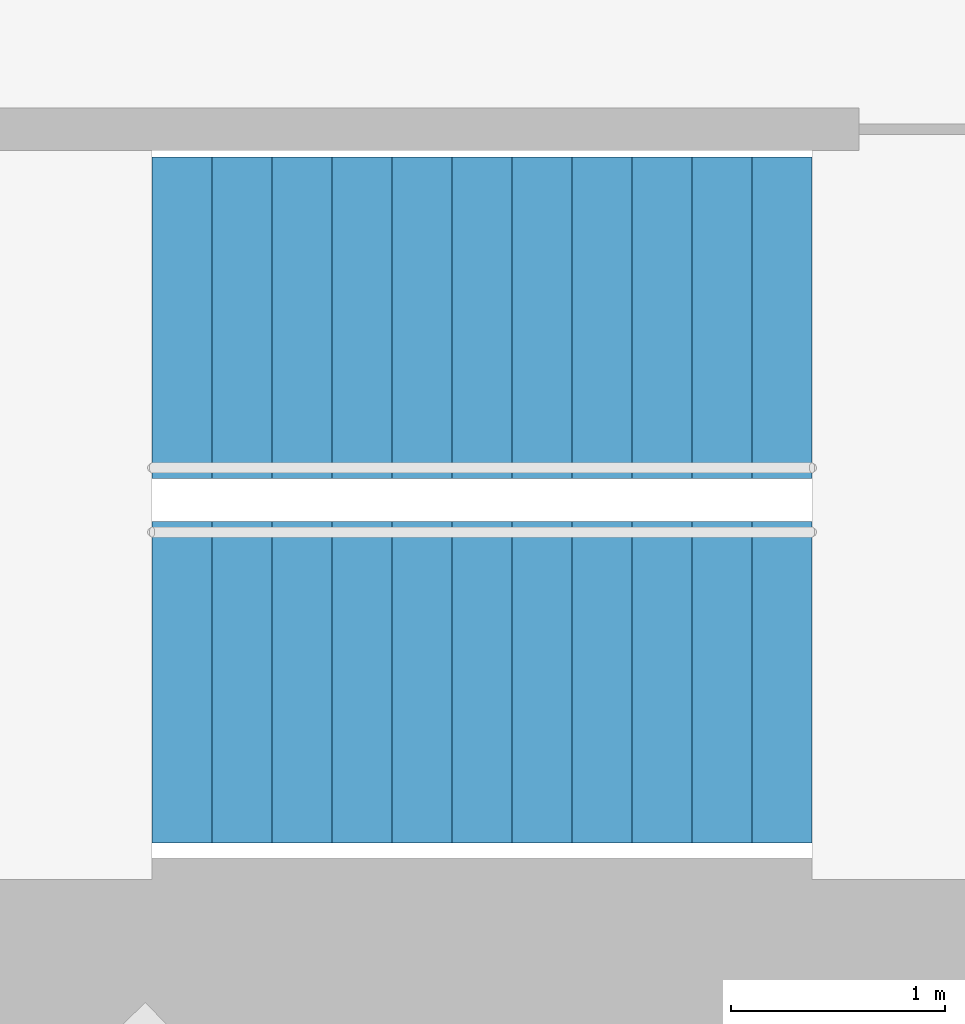
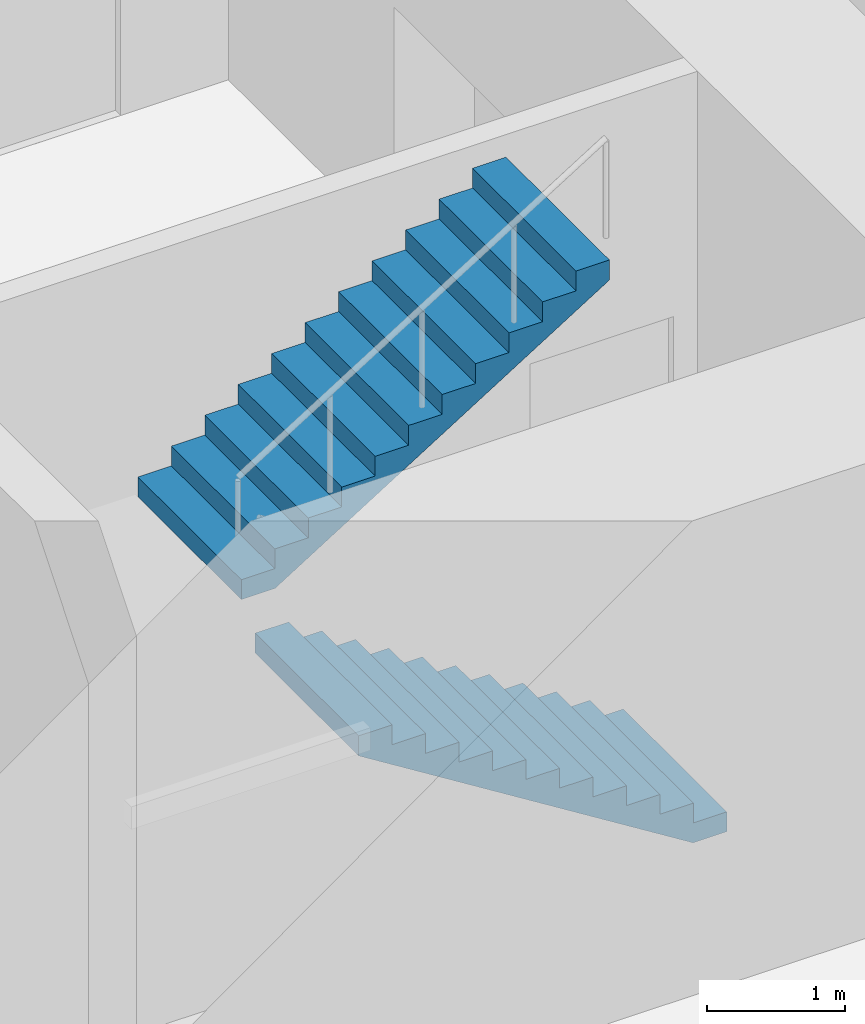
# One storey, part 16 of 17: 2 stair flights, 1 element without a shape of its own.
"""IFC4 building model written with IfcOpenShell, lengths in metres."""

from ifc_helpers import new_model, si_unit, direction, frame, origin, place, context, subcontext, project, spatial, triangles, material, type_object, element, aggregate, save


model = new_model("IFC4")

# Units and contexts
model_context = context("Model", 3, precision=1e-05, world=origin(), true_north=direction((0.0, 1.0)))
body_context = subcontext(model_context, "Body", "Model", "MODEL_VIEW")
ifc_project = project(units=[si_unit("LENGTHUNIT", "METRE"), si_unit("AREAUNIT", "SQUARE_METRE"), si_unit("VOLUMEUNIT", "CUBIC_METRE"), si_unit("PLANEANGLEUNIT", "RADIAN"), si_unit("MASSUNIT", "GRAM", prefix="KILO")], contexts=[model_context])

# Site, building, storey
site_placement = place(None, origin())
site = spatial("IfcSite", under=ifc_project, at=site_placement, CompositionType="ELEMENT")
building_placement = place(site_placement, origin())
building = spatial("IfcBuilding", under=site, at=building_placement, Name="Lantaw Convention Tower", CompositionType="ELEMENT")
storey_placement = place(building_placement, frame((0.0, 0.0, 151.0)))
storey = spatial("IfcBuildingStorey", under=building, at=storey_placement, Name="L35", CompositionType="ELEMENT", Elevation=151.0)

# Stair, stair flights
ifc_material = material(Name="Concrete C35/45", Category="concrete")
stair_type = type_object("IfcStairType", Name="Exit stair 1500 riser 175 in 2 flights", PredefinedType="HALF_TURN_STAIR", material=ifc_material)
stair_placement = place(storey_placement, origin())
stair = element("IfcStair", 1, at=stair_placement, inside=storey, type_object=stair_type, Name="Exit stair S2 L35", PredefinedType="HALF_TURN_STAIR")
stair_flight_type = type_object("IfcStairFlightType", Name="Stair flight 1500 riser 175", PredefinedType="STRAIGHT", material=ifc_material)
stair_flight_1_placement = place(storey_placement, frame((10.580078125, -5.97998046875, 0.0), z_axis=(0.0, 0.0, 1.0), x_axis=(-1.0, 0.0, 0.0)))
stair_flight_1 = element("IfcStairFlight", 2, at=stair_flight_1_placement, type_object=stair_flight_type, Name="S2 flight 1", NumberOfRisers=12, NumberOfTreads=11, PredefinedType="STRAIGHT", RiserHeight=0.175, TreadLength=0.28, context=body_context, shape_type="Tessellation", body=[
    triangles([(0.0, 0.75, 0.0), (0.0, 0.75, 0.175), (0.28, 0.75, 0.0), (0.28, 0.75, 0.175), (0.28, 0.75, 0.35), (0.28283517651771284, 0.75, 0.0), (0.28283517651771284, 0.75, 0.35), (0.56, 0.75, 0.17322801467642948), (0.56, 0.75, 0.35), (0.56, 0.75, 0.5249999999999999), (0.8400000000000001, 0.75, 0.34822801467642944), (0.8400000000000001, 0.75, 0.5249999999999999), (0.8400000000000001, 0.75, 0.7), (1.12, 0.75, 0.5232280146764294), (1.12, 0.75, 0.7), (1.12, 0.75, 0.875), (1.4000000000000001, 0.75, 0.6982280146764295), (1.4000000000000001, 0.75, 0.875), (1.4000000000000001, 0.75, 1.0499999999999998), (1.6800000000000002, 0.75, 0.8732280146764294), (1.6800000000000002, 0.75, 1.0499999999999998), (1.6800000000000002, 0.75, 1.2249999999999999), (1.9600000000000002, 0.75, 1.0482280146764293), (1.9600000000000002, 0.75, 1.2249999999999999), (1.9600000000000002, 0.75, 1.4), (2.24, 0.75, 1.2232280146764294), (2.24, 0.75, 1.4), (2.24, 0.75, 1.575), (2.5200000000000005, 0.75, 1.3982280146764294), (2.5200000000000005, 0.75, 1.575), (2.5200000000000005, 0.75, 1.75), (2.8000000000000003, 0.75, 1.5732280146764293), (2.8000000000000003, 0.75, 1.75), (2.8000000000000003, 0.75, 1.9249999999999998), (3.08, 0.75, 1.7482280146764293), (3.08, 0.75, 1.9249999999999998), (0.0, -0.75, 0.0), (0.0, -0.75, 0.175), (0.28, -0.75, 0.0), (0.28, -0.75, 0.175), (0.28, -0.75, 0.35), (0.28283517651771284, -0.75, 0.0), (0.28283517651771284, -0.75, 0.35), (0.56, -0.75, 0.17322801467642948), (0.56, -0.75, 0.35), (0.56, -0.75, 0.5249999999999999), (0.8400000000000001, -0.75, 0.34822801467642944), (0.8400000000000001, -0.75, 0.5249999999999999), (0.8400000000000001, -0.75, 0.7), (1.12, -0.75, 0.5232280146764294), (1.12, -0.75, 0.7), (1.12, -0.75, 0.875), (1.4000000000000001, -0.75, 0.6982280146764295), (1.4000000000000001, -0.75, 0.875), (1.4000000000000001, -0.75, 1.0499999999999998), (1.6800000000000002, -0.75, 0.8732280146764294), (1.6800000000000002, -0.75, 1.0499999999999998), (1.6800000000000002, -0.75, 1.2249999999999999), (1.9600000000000002, -0.75, 1.0482280146764293), (1.9600000000000002, -0.75, 1.2249999999999999), (1.9600000000000002, -0.75, 1.4), (2.24, -0.75, 1.2232280146764294), (2.24, -0.75, 1.4), (2.24, -0.75, 1.575), (2.5200000000000005, -0.75, 1.3982280146764294), (2.5200000000000005, -0.75, 1.575), (2.5200000000000005, -0.75, 1.75), (2.8000000000000003, -0.75, 1.5732280146764293), (2.8000000000000003, -0.75, 1.75), (2.8000000000000003, -0.75, 1.9249999999999998), (3.08, -0.75, 1.7482280146764293), (3.08, -0.75, 1.9249999999999998), (0.0, 0.15000000000000002, 0.175), (0.0, 0.15000000000000002, 0.0), (0.0, 0.0, 0.175), (0.0, 0.0, 0.0), (0.0, -0.15000000000000002, 0.175), (0.0, -0.15000000000000002, 0.0), (0.28, 0.15000000000000002, 0.35), (0.28, 0.15000000000000002, 0.175), (0.28, 0.0, 0.35), (0.28, 0.0, 0.175), (0.28, -0.15000000000000002, 0.35), (0.28, -0.15000000000000002, 0.175), (0.56, 0.15000000000000002, 0.5249999999999999), (0.56, 0.15000000000000002, 0.35), (0.56, 0.0, 0.5249999999999999), (0.56, 0.0, 0.35), (0.56, -0.15000000000000002, 0.5249999999999999), (0.56, -0.15000000000000002, 0.35), (0.8400000000000001, 0.15000000000000002, 0.7), (0.8400000000000001, 0.15000000000000002, 0.5249999999999999), (0.8400000000000001, 0.0, 0.7), (0.8400000000000001, 0.0, 0.5249999999999999), (0.8400000000000001, -0.15000000000000002, 0.7), (0.8400000000000001, -0.15000000000000002, 0.5249999999999999), (1.12, 0.15000000000000002, 0.875), (1.12, 0.15000000000000002, 0.7), (1.12, 0.0, 0.875), (1.12, 0.0, 0.7), (1.12, -0.15000000000000002, 0.875), (1.12, -0.15000000000000002, 0.7), (1.4000000000000001, 0.15000000000000002, 1.0499999999999998), (1.4000000000000001, 0.15000000000000002, 0.875), (1.4000000000000001, 0.0, 1.0499999999999998), (1.4000000000000001, 0.0, 0.875), (1.4000000000000001, -0.15000000000000002, 1.0499999999999998), (1.4000000000000001, -0.15000000000000002, 0.875), (1.6800000000000002, 0.15000000000000002, 1.2249999999999999), (1.6800000000000002, 0.15000000000000002, 1.0499999999999998), (1.6800000000000002, 0.0, 1.2249999999999999), (1.6800000000000002, 0.0, 1.0499999999999998), (1.6800000000000002, -0.15000000000000002, 1.2249999999999999), (1.6800000000000002, -0.15000000000000002, 1.0499999999999998), (1.9600000000000002, 0.15000000000000002, 1.4), (1.9600000000000002, 0.15000000000000002, 1.2249999999999999), (1.9600000000000002, 0.0, 1.4), (1.9600000000000002, 0.0, 1.2249999999999999), (1.9600000000000002, -0.15000000000000002, 1.4), (1.9600000000000002, -0.15000000000000002, 1.2249999999999999), (2.24, 0.15000000000000002, 1.575), (2.24, 0.15000000000000002, 1.4), (2.24, 0.0, 1.575), (2.24, 0.0, 1.4), (2.24, -0.15000000000000002, 1.575), (2.24, -0.15000000000000002, 1.4), (2.5200000000000005, 0.15000000000000002, 1.75), (2.5200000000000005, 0.15000000000000002, 1.575), (2.5200000000000005, 0.0, 1.75), (2.5200000000000005, 0.0, 1.575), (2.5200000000000005, -0.15000000000000002, 1.75), (2.5200000000000005, -0.15000000000000002, 1.575), (2.8000000000000003, 0.15000000000000002, 1.9249999999999998), (2.8000000000000003, 0.15000000000000002, 1.75), (2.8000000000000003, 0.0, 1.9249999999999998), (2.8000000000000003, 0.0, 1.75), (2.8000000000000003, -0.15000000000000002, 1.9249999999999998), (2.8000000000000003, -0.15000000000000002, 1.75), (0.28283517651771284, 0.15000000000000002, 0.35), (0.28283517651771284, 0.0, 0.35), (0.28283517651771284, -0.15000000000000002, 0.35), (3.08, 0.15000000000000002, 1.9249999999999998), (3.08, 0.0, 1.9249999999999998), (3.08, -0.15000000000000002, 1.9249999999999998), (3.08, 0.15000000000000002, 1.7482280146764293), (3.08, 0.0, 1.7482280146764293), (3.08, -0.15000000000000002, 1.7482280146764293), (2.8000000000000003, 0.15000000000000002, 1.5732280146764293), (2.8000000000000003, 0.0, 1.5732280146764293), (2.8000000000000003, -0.15000000000000002, 1.5732280146764293), (2.5200000000000005, 0.15000000000000002, 1.3982280146764294), (2.5200000000000005, 0.0, 1.3982280146764294), (2.5200000000000005, -0.15000000000000002, 1.3982280146764294), (2.24, 0.15000000000000002, 1.2232280146764294), (2.24, 0.0, 1.2232280146764294), (2.24, -0.15000000000000002, 1.2232280146764294), (1.9600000000000002, 0.15000000000000002, 1.0482280146764293), (1.9600000000000002, 0.0, 1.0482280146764293), (1.9600000000000002, -0.15000000000000002, 1.0482280146764293), (1.6800000000000002, 0.15000000000000002, 0.8732280146764294), (1.6800000000000002, 0.0, 0.8732280146764294), (1.6800000000000002, -0.15000000000000002, 0.8732280146764294), (1.4000000000000001, 0.15000000000000002, 0.6982280146764295), (1.4000000000000001, 0.0, 0.6982280146764295), (1.4000000000000001, -0.15000000000000002, 0.6982280146764295), (1.12, 0.15000000000000002, 0.5232280146764294), (1.12, 0.0, 0.5232280146764294), (1.12, -0.15000000000000002, 0.5232280146764294), (0.8400000000000001, 0.15000000000000002, 0.34822801467642944), (0.8400000000000001, 0.0, 0.34822801467642944), (0.8400000000000001, -0.15000000000000002, 0.34822801467642944), (0.56, 0.15000000000000002, 0.17322801467642948), (0.56, 0.0, 0.17322801467642948), (0.56, -0.15000000000000002, 0.17322801467642948), (0.28283517651771284, 0.15000000000000002, 0.0), (0.28283517651771284, 0.0, 0.0), (0.28283517651771284, -0.15000000000000002, 0.0), (0.28, 0.15000000000000002, 0.0), (0.28, 0.0, 0.0), (0.28, -0.15000000000000002, 0.0)], [[1, 4, 3], [1, 2, 4], [3, 4, 6], [4, 7, 6], [4, 5, 7], [6, 9, 8], [6, 7, 9], [8, 9, 11], [9, 12, 11], [9, 10, 12], [11, 12, 14], [12, 15, 14], [12, 13, 15], [14, 15, 17], [15, 18, 17], [15, 16, 18], [17, 18, 20], [18, 21, 20], [18, 19, 21], [20, 21, 23], [21, 24, 23], [21, 22, 24], [23, 24, 26], [24, 27, 26], [24, 25, 27], [26, 27, 29], [27, 30, 29], [27, 28, 30], [29, 30, 32], [30, 33, 32], [30, 31, 33], [32, 33, 35], [33, 36, 35], [33, 34, 36], [37, 39, 40], [37, 40, 38], [39, 42, 40], [40, 42, 43], [40, 43, 41], [42, 44, 45], [42, 45, 43], [44, 47, 45], [45, 47, 48], [45, 48, 46], [47, 50, 48], [48, 50, 51], [48, 51, 49], [50, 53, 51], [51, 53, 54], [51, 54, 52], [53, 56, 54], [54, 56, 57], [54, 57, 55], [56, 59, 57], [57, 59, 60], [57, 60, 58], [59, 62, 60], [60, 62, 63], [60, 63, 61], [62, 65, 63], [63, 65, 66], [63, 66, 64], [65, 68, 66], [66, 68, 69], [66, 69, 67], [68, 71, 69], [69, 71, 72], [69, 72, 70], [1, 73, 2], [1, 74, 73], [74, 75, 73], [74, 76, 75], [76, 77, 75], [76, 78, 77], [78, 38, 77], [78, 37, 38], [4, 79, 5], [4, 80, 79], [80, 81, 79], [80, 82, 81], [82, 83, 81], [82, 84, 83], [84, 41, 83], [84, 40, 41], [9, 85, 10], [9, 86, 85], [86, 87, 85], [86, 88, 87], [88, 89, 87], [88, 90, 89], [90, 46, 89], [90, 45, 46], [12, 91, 13], [12, 92, 91], [92, 93, 91], [92, 94, 93], [94, 95, 93], [94, 96, 95], [96, 49, 95], [96, 48, 49], [15, 97, 16], [15, 98, 97], [98, 99, 97], [98, 100, 99], [100, 101, 99], [100, 102, 101], [102, 52, 101], [102, 51, 52], [18, 103, 19], [18, 104, 103], [104, 105, 103], [104, 106, 105], [106, 107, 105], [106, 108, 107], [108, 55, 107], [108, 54, 55], [21, 109, 22], [21, 110, 109], [110, 111, 109], [110, 112, 111], [112, 113, 111], [112, 114, 113], [114, 58, 113], [114, 57, 58], [24, 115, 25], [24, 116, 115], [116, 117, 115], [116, 118, 117], [118, 119, 117], [118, 120, 119], [120, 61, 119], [120, 60, 61], [27, 121, 28], [27, 122, 121], [122, 123, 121], [122, 124, 123], [124, 125, 123], [124, 126, 125], [126, 64, 125], [126, 63, 64], [30, 127, 31], [30, 128, 127], [128, 129, 127], [128, 130, 129], [130, 131, 129], [130, 132, 131], [132, 67, 131], [132, 66, 67], [33, 133, 34], [33, 134, 133], [134, 135, 133], [134, 136, 135], [136, 137, 135], [136, 138, 137], [138, 70, 137], [138, 69, 70], [2, 80, 4], [2, 73, 80], [73, 82, 80], [73, 75, 82], [75, 84, 82], [75, 77, 84], [77, 40, 84], [77, 38, 40], [5, 139, 7], [5, 79, 139], [79, 140, 139], [79, 81, 140], [81, 141, 140], [81, 83, 141], [83, 43, 141], [83, 41, 43], [7, 86, 9], [7, 139, 86], [139, 88, 86], [139, 140, 88], [140, 90, 88], [140, 141, 90], [141, 45, 90], [141, 43, 45], [10, 92, 12], [10, 85, 92], [85, 94, 92], [85, 87, 94], [87, 96, 94], [87, 89, 96], [89, 48, 96], [89, 46, 48], [13, 98, 15], [13, 91, 98], [91, 100, 98], [91, 93, 100], [93, 102, 100], [93, 95, 102], [95, 51, 102], [95, 49, 51], [16, 104, 18], [16, 97, 104], [97, 106, 104], [97, 99, 106], [99, 108, 106], [99, 101, 108], [101, 54, 108], [101, 52, 54], [19, 110, 21], [19, 103, 110], [103, 112, 110], [103, 105, 112], [105, 114, 112], [105, 107, 114], [107, 57, 114], [107, 55, 57], [22, 116, 24], [22, 109, 116], [109, 118, 116], [109, 111, 118], [111, 120, 118], [111, 113, 120], [113, 60, 120], [113, 58, 60], [25, 122, 27], [25, 115, 122], [115, 124, 122], [115, 117, 124], [117, 126, 124], [117, 119, 126], [119, 63, 126], [119, 61, 63], [28, 128, 30], [28, 121, 128], [121, 130, 128], [121, 123, 130], [123, 132, 130], [123, 125, 132], [125, 66, 132], [125, 64, 66], [31, 134, 33], [31, 127, 134], [127, 136, 134], [127, 129, 136], [129, 138, 136], [129, 131, 138], [131, 69, 138], [131, 67, 69], [34, 142, 36], [34, 133, 142], [133, 143, 142], [133, 135, 143], [135, 144, 143], [135, 137, 144], [137, 72, 144], [137, 70, 72], [36, 145, 35], [36, 142, 145], [142, 146, 145], [142, 143, 146], [143, 147, 146], [143, 144, 147], [144, 71, 147], [144, 72, 71], [35, 148, 32], [35, 145, 148], [145, 149, 148], [145, 146, 149], [146, 150, 149], [146, 147, 150], [147, 68, 150], [147, 71, 68], [32, 151, 29], [32, 148, 151], [148, 152, 151], [148, 149, 152], [149, 153, 152], [149, 150, 153], [150, 65, 153], [150, 68, 65], [29, 154, 26], [29, 151, 154], [151, 155, 154], [151, 152, 155], [152, 156, 155], [152, 153, 156], [153, 62, 156], [153, 65, 62], [26, 157, 23], [26, 154, 157], [154, 158, 157], [154, 155, 158], [155, 159, 158], [155, 156, 159], [156, 59, 159], [156, 62, 59], [23, 160, 20], [23, 157, 160], [157, 161, 160], [157, 158, 161], [158, 162, 161], [158, 159, 162], [159, 56, 162], [159, 59, 56], [20, 163, 17], [20, 160, 163], [160, 164, 163], [160, 161, 164], [161, 165, 164], [161, 162, 165], [162, 53, 165], [162, 56, 53], [17, 166, 14], [17, 163, 166], [163, 167, 166], [163, 164, 167], [164, 168, 167], [164, 165, 168], [165, 50, 168], [165, 53, 50], [14, 169, 11], [14, 166, 169], [166, 170, 169], [166, 167, 170], [167, 171, 170], [167, 168, 171], [168, 47, 171], [168, 50, 47], [11, 172, 8], [11, 169, 172], [169, 173, 172], [169, 170, 173], [170, 174, 173], [170, 171, 174], [171, 44, 174], [171, 47, 44], [8, 175, 6], [8, 172, 175], [172, 176, 175], [172, 173, 176], [173, 177, 176], [173, 174, 177], [174, 42, 177], [174, 44, 42], [6, 178, 3], [6, 175, 178], [175, 179, 178], [175, 176, 179], [176, 180, 179], [176, 177, 180], [177, 39, 180], [177, 42, 39], [3, 74, 1], [3, 178, 74], [178, 76, 74], [178, 179, 76], [179, 78, 76], [179, 180, 78], [180, 37, 78], [180, 39, 37]], closed=True),
])
stair_flight_2_placement = place(storey_placement, frame((7.5, -4.280029296875, 2.10009765625), z_axis=(0.0, 0.0, 1.0), x_axis=(1.0, 0.0, 0.0)))
stair_flight_2 = element("IfcStairFlight", 3, at=stair_flight_2_placement, type_object=stair_flight_type, Name="S2 flight 2", NumberOfRisers=12, NumberOfTreads=11, PredefinedType="STRAIGHT", RiserHeight=0.175, TreadLength=0.28, context=body_context, shape_type="Tessellation", body=[
    triangles([(0.0, 0.75, 0.0), (0.0, 0.75, 0.175), (0.28, 0.75, 0.0), (0.28, 0.75, 0.175), (0.28, 0.75, 0.35), (0.28283517651771284, 0.75, 0.0), (0.28283517651771284, 0.75, 0.35), (0.56, 0.75, 0.17322801467642948), (0.56, 0.75, 0.35), (0.56, 0.75, 0.5249999999999999), (0.8400000000000001, 0.75, 0.34822801467642944), (0.8400000000000001, 0.75, 0.5249999999999999), (0.8400000000000001, 0.75, 0.7), (1.12, 0.75, 0.5232280146764294), (1.12, 0.75, 0.7), (1.12, 0.75, 0.875), (1.4000000000000001, 0.75, 0.6982280146764295), (1.4000000000000001, 0.75, 0.875), (1.4000000000000001, 0.75, 1.0499999999999998), (1.6800000000000002, 0.75, 0.8732280146764294), (1.6800000000000002, 0.75, 1.0499999999999998), (1.6800000000000002, 0.75, 1.2249999999999999), (1.9600000000000002, 0.75, 1.0482280146764293), (1.9600000000000002, 0.75, 1.2249999999999999), (1.9600000000000002, 0.75, 1.4), (2.24, 0.75, 1.2232280146764294), (2.24, 0.75, 1.4), (2.24, 0.75, 1.575), (2.5200000000000005, 0.75, 1.3982280146764294), (2.5200000000000005, 0.75, 1.575), (2.5200000000000005, 0.75, 1.75), (2.8000000000000003, 0.75, 1.5732280146764293), (2.8000000000000003, 0.75, 1.75), (2.8000000000000003, 0.75, 1.9249999999999998), (3.08, 0.75, 1.7482280146764293), (3.08, 0.75, 1.9249999999999998), (0.0, -0.75, 0.0), (0.0, -0.75, 0.175), (0.28, -0.75, 0.0), (0.28, -0.75, 0.175), (0.28, -0.75, 0.35), (0.28283517651771284, -0.75, 0.0), (0.28283517651771284, -0.75, 0.35), (0.56, -0.75, 0.17322801467642948), (0.56, -0.75, 0.35), (0.56, -0.75, 0.5249999999999999), (0.8400000000000001, -0.75, 0.34822801467642944), (0.8400000000000001, -0.75, 0.5249999999999999), (0.8400000000000001, -0.75, 0.7), (1.12, -0.75, 0.5232280146764294), (1.12, -0.75, 0.7), (1.12, -0.75, 0.875), (1.4000000000000001, -0.75, 0.6982280146764295), (1.4000000000000001, -0.75, 0.875), (1.4000000000000001, -0.75, 1.0499999999999998), (1.6800000000000002, -0.75, 0.8732280146764294), (1.6800000000000002, -0.75, 1.0499999999999998), (1.6800000000000002, -0.75, 1.2249999999999999), (1.9600000000000002, -0.75, 1.0482280146764293), (1.9600000000000002, -0.75, 1.2249999999999999), (1.9600000000000002, -0.75, 1.4), (2.24, -0.75, 1.2232280146764294), (2.24, -0.75, 1.4), (2.24, -0.75, 1.575), (2.5200000000000005, -0.75, 1.3982280146764294), (2.5200000000000005, -0.75, 1.575), (2.5200000000000005, -0.75, 1.75), (2.8000000000000003, -0.75, 1.5732280146764293), (2.8000000000000003, -0.75, 1.75), (2.8000000000000003, -0.75, 1.9249999999999998), (3.08, -0.75, 1.7482280146764293), (3.08, -0.75, 1.9249999999999998), (0.0, 0.15000000000000002, 0.175), (0.0, 0.15000000000000002, 0.0), (0.0, 0.0, 0.175), (0.0, 0.0, 0.0), (0.0, -0.15000000000000002, 0.175), (0.0, -0.15000000000000002, 0.0), (0.28, 0.15000000000000002, 0.35), (0.28, 0.15000000000000002, 0.175), (0.28, 0.0, 0.35), (0.28, 0.0, 0.175), (0.28, -0.15000000000000002, 0.35), (0.28, -0.15000000000000002, 0.175), (0.56, 0.15000000000000002, 0.5249999999999999), (0.56, 0.15000000000000002, 0.35), (0.56, 0.0, 0.5249999999999999), (0.56, 0.0, 0.35), (0.56, -0.15000000000000002, 0.5249999999999999), (0.56, -0.15000000000000002, 0.35), (0.8400000000000001, 0.15000000000000002, 0.7), (0.8400000000000001, 0.15000000000000002, 0.5249999999999999), (0.8400000000000001, 0.0, 0.7), (0.8400000000000001, 0.0, 0.5249999999999999), (0.8400000000000001, -0.15000000000000002, 0.7), (0.8400000000000001, -0.15000000000000002, 0.5249999999999999), (1.12, 0.15000000000000002, 0.875), (1.12, 0.15000000000000002, 0.7), (1.12, 0.0, 0.875), (1.12, 0.0, 0.7), (1.12, -0.15000000000000002, 0.875), (1.12, -0.15000000000000002, 0.7), (1.4000000000000001, 0.15000000000000002, 1.0499999999999998), (1.4000000000000001, 0.15000000000000002, 0.875), (1.4000000000000001, 0.0, 1.0499999999999998), (1.4000000000000001, 0.0, 0.875), (1.4000000000000001, -0.15000000000000002, 1.0499999999999998), (1.4000000000000001, -0.15000000000000002, 0.875), (1.6800000000000002, 0.15000000000000002, 1.2249999999999999), (1.6800000000000002, 0.15000000000000002, 1.0499999999999998), (1.6800000000000002, 0.0, 1.2249999999999999), (1.6800000000000002, 0.0, 1.0499999999999998), (1.6800000000000002, -0.15000000000000002, 1.2249999999999999), (1.6800000000000002, -0.15000000000000002, 1.0499999999999998), (1.9600000000000002, 0.15000000000000002, 1.4), (1.9600000000000002, 0.15000000000000002, 1.2249999999999999), (1.9600000000000002, 0.0, 1.4), (1.9600000000000002, 0.0, 1.2249999999999999), (1.9600000000000002, -0.15000000000000002, 1.4), (1.9600000000000002, -0.15000000000000002, 1.2249999999999999), (2.24, 0.15000000000000002, 1.575), (2.24, 0.15000000000000002, 1.4), (2.24, 0.0, 1.575), (2.24, 0.0, 1.4), (2.24, -0.15000000000000002, 1.575), (2.24, -0.15000000000000002, 1.4), (2.5200000000000005, 0.15000000000000002, 1.75), (2.5200000000000005, 0.15000000000000002, 1.575), (2.5200000000000005, 0.0, 1.75), (2.5200000000000005, 0.0, 1.575), (2.5200000000000005, -0.15000000000000002, 1.75), (2.5200000000000005, -0.15000000000000002, 1.575), (2.8000000000000003, 0.15000000000000002, 1.9249999999999998), (2.8000000000000003, 0.15000000000000002, 1.75), (2.8000000000000003, 0.0, 1.9249999999999998), (2.8000000000000003, 0.0, 1.75), (2.8000000000000003, -0.15000000000000002, 1.9249999999999998), (2.8000000000000003, -0.15000000000000002, 1.75), (0.28283517651771284, 0.15000000000000002, 0.35), (0.28283517651771284, 0.0, 0.35), (0.28283517651771284, -0.15000000000000002, 0.35), (3.08, 0.15000000000000002, 1.9249999999999998), (3.08, 0.0, 1.9249999999999998), (3.08, -0.15000000000000002, 1.9249999999999998), (3.08, 0.15000000000000002, 1.7482280146764293), (3.08, 0.0, 1.7482280146764293), (3.08, -0.15000000000000002, 1.7482280146764293), (2.8000000000000003, 0.15000000000000002, 1.5732280146764293), (2.8000000000000003, 0.0, 1.5732280146764293), (2.8000000000000003, -0.15000000000000002, 1.5732280146764293), (2.5200000000000005, 0.15000000000000002, 1.3982280146764294), (2.5200000000000005, 0.0, 1.3982280146764294), (2.5200000000000005, -0.15000000000000002, 1.3982280146764294), (2.24, 0.15000000000000002, 1.2232280146764294), (2.24, 0.0, 1.2232280146764294), (2.24, -0.15000000000000002, 1.2232280146764294), (1.9600000000000002, 0.15000000000000002, 1.0482280146764293), (1.9600000000000002, 0.0, 1.0482280146764293), (1.9600000000000002, -0.15000000000000002, 1.0482280146764293), (1.6800000000000002, 0.15000000000000002, 0.8732280146764294), (1.6800000000000002, 0.0, 0.8732280146764294), (1.6800000000000002, -0.15000000000000002, 0.8732280146764294), (1.4000000000000001, 0.15000000000000002, 0.6982280146764295), (1.4000000000000001, 0.0, 0.6982280146764295), (1.4000000000000001, -0.15000000000000002, 0.6982280146764295), (1.12, 0.15000000000000002, 0.5232280146764294), (1.12, 0.0, 0.5232280146764294), (1.12, -0.15000000000000002, 0.5232280146764294), (0.8400000000000001, 0.15000000000000002, 0.34822801467642944), (0.8400000000000001, 0.0, 0.34822801467642944), (0.8400000000000001, -0.15000000000000002, 0.34822801467642944), (0.56, 0.15000000000000002, 0.17322801467642948), (0.56, 0.0, 0.17322801467642948), (0.56, -0.15000000000000002, 0.17322801467642948), (0.28283517651771284, 0.15000000000000002, 0.0), (0.28283517651771284, 0.0, 0.0), (0.28283517651771284, -0.15000000000000002, 0.0), (0.28, 0.15000000000000002, 0.0), (0.28, 0.0, 0.0), (0.28, -0.15000000000000002, 0.0)], [[1, 4, 3], [1, 2, 4], [3, 4, 6], [4, 7, 6], [4, 5, 7], [6, 9, 8], [6, 7, 9], [8, 9, 11], [9, 12, 11], [9, 10, 12], [11, 12, 14], [12, 15, 14], [12, 13, 15], [14, 15, 17], [15, 18, 17], [15, 16, 18], [17, 18, 20], [18, 21, 20], [18, 19, 21], [20, 21, 23], [21, 24, 23], [21, 22, 24], [23, 24, 26], [24, 27, 26], [24, 25, 27], [26, 27, 29], [27, 30, 29], [27, 28, 30], [29, 30, 32], [30, 33, 32], [30, 31, 33], [32, 33, 35], [33, 36, 35], [33, 34, 36], [37, 39, 40], [37, 40, 38], [39, 42, 40], [40, 42, 43], [40, 43, 41], [42, 44, 45], [42, 45, 43], [44, 47, 45], [45, 47, 48], [45, 48, 46], [47, 50, 48], [48, 50, 51], [48, 51, 49], [50, 53, 51], [51, 53, 54], [51, 54, 52], [53, 56, 54], [54, 56, 57], [54, 57, 55], [56, 59, 57], [57, 59, 60], [57, 60, 58], [59, 62, 60], [60, 62, 63], [60, 63, 61], [62, 65, 63], [63, 65, 66], [63, 66, 64], [65, 68, 66], [66, 68, 69], [66, 69, 67], [68, 71, 69], [69, 71, 72], [69, 72, 70], [1, 73, 2], [1, 74, 73], [74, 75, 73], [74, 76, 75], [76, 77, 75], [76, 78, 77], [78, 38, 77], [78, 37, 38], [4, 79, 5], [4, 80, 79], [80, 81, 79], [80, 82, 81], [82, 83, 81], [82, 84, 83], [84, 41, 83], [84, 40, 41], [9, 85, 10], [9, 86, 85], [86, 87, 85], [86, 88, 87], [88, 89, 87], [88, 90, 89], [90, 46, 89], [90, 45, 46], [12, 91, 13], [12, 92, 91], [92, 93, 91], [92, 94, 93], [94, 95, 93], [94, 96, 95], [96, 49, 95], [96, 48, 49], [15, 97, 16], [15, 98, 97], [98, 99, 97], [98, 100, 99], [100, 101, 99], [100, 102, 101], [102, 52, 101], [102, 51, 52], [18, 103, 19], [18, 104, 103], [104, 105, 103], [104, 106, 105], [106, 107, 105], [106, 108, 107], [108, 55, 107], [108, 54, 55], [21, 109, 22], [21, 110, 109], [110, 111, 109], [110, 112, 111], [112, 113, 111], [112, 114, 113], [114, 58, 113], [114, 57, 58], [24, 115, 25], [24, 116, 115], [116, 117, 115], [116, 118, 117], [118, 119, 117], [118, 120, 119], [120, 61, 119], [120, 60, 61], [27, 121, 28], [27, 122, 121], [122, 123, 121], [122, 124, 123], [124, 125, 123], [124, 126, 125], [126, 64, 125], [126, 63, 64], [30, 127, 31], [30, 128, 127], [128, 129, 127], [128, 130, 129], [130, 131, 129], [130, 132, 131], [132, 67, 131], [132, 66, 67], [33, 133, 34], [33, 134, 133], [134, 135, 133], [134, 136, 135], [136, 137, 135], [136, 138, 137], [138, 70, 137], [138, 69, 70], [2, 80, 4], [2, 73, 80], [73, 82, 80], [73, 75, 82], [75, 84, 82], [75, 77, 84], [77, 40, 84], [77, 38, 40], [5, 139, 7], [5, 79, 139], [79, 140, 139], [79, 81, 140], [81, 141, 140], [81, 83, 141], [83, 43, 141], [83, 41, 43], [7, 86, 9], [7, 139, 86], [139, 88, 86], [139, 140, 88], [140, 90, 88], [140, 141, 90], [141, 45, 90], [141, 43, 45], [10, 92, 12], [10, 85, 92], [85, 94, 92], [85, 87, 94], [87, 96, 94], [87, 89, 96], [89, 48, 96], [89, 46, 48], [13, 98, 15], [13, 91, 98], [91, 100, 98], [91, 93, 100], [93, 102, 100], [93, 95, 102], [95, 51, 102], [95, 49, 51], [16, 104, 18], [16, 97, 104], [97, 106, 104], [97, 99, 106], [99, 108, 106], [99, 101, 108], [101, 54, 108], [101, 52, 54], [19, 110, 21], [19, 103, 110], [103, 112, 110], [103, 105, 112], [105, 114, 112], [105, 107, 114], [107, 57, 114], [107, 55, 57], [22, 116, 24], [22, 109, 116], [109, 118, 116], [109, 111, 118], [111, 120, 118], [111, 113, 120], [113, 60, 120], [113, 58, 60], [25, 122, 27], [25, 115, 122], [115, 124, 122], [115, 117, 124], [117, 126, 124], [117, 119, 126], [119, 63, 126], [119, 61, 63], [28, 128, 30], [28, 121, 128], [121, 130, 128], [121, 123, 130], [123, 132, 130], [123, 125, 132], [125, 66, 132], [125, 64, 66], [31, 134, 33], [31, 127, 134], [127, 136, 134], [127, 129, 136], [129, 138, 136], [129, 131, 138], [131, 69, 138], [131, 67, 69], [34, 142, 36], [34, 133, 142], [133, 143, 142], [133, 135, 143], [135, 144, 143], [135, 137, 144], [137, 72, 144], [137, 70, 72], [36, 145, 35], [36, 142, 145], [142, 146, 145], [142, 143, 146], [143, 147, 146], [143, 144, 147], [144, 71, 147], [144, 72, 71], [35, 148, 32], [35, 145, 148], [145, 149, 148], [145, 146, 149], [146, 150, 149], [146, 147, 150], [147, 68, 150], [147, 71, 68], [32, 151, 29], [32, 148, 151], [148, 152, 151], [148, 149, 152], [149, 153, 152], [149, 150, 153], [150, 65, 153], [150, 68, 65], [29, 154, 26], [29, 151, 154], [151, 155, 154], [151, 152, 155], [152, 156, 155], [152, 153, 156], [153, 62, 156], [153, 65, 62], [26, 157, 23], [26, 154, 157], [154, 158, 157], [154, 155, 158], [155, 159, 158], [155, 156, 159], [156, 59, 159], [156, 62, 59], [23, 160, 20], [23, 157, 160], [157, 161, 160], [157, 158, 161], [158, 162, 161], [158, 159, 162], [159, 56, 162], [159, 59, 56], [20, 163, 17], [20, 160, 163], [160, 164, 163], [160, 161, 164], [161, 165, 164], [161, 162, 165], [162, 53, 165], [162, 56, 53], [17, 166, 14], [17, 163, 166], [163, 167, 166], [163, 164, 167], [164, 168, 167], [164, 165, 168], [165, 50, 168], [165, 53, 50], [14, 169, 11], [14, 166, 169], [166, 170, 169], [166, 167, 170], [167, 171, 170], [167, 168, 171], [168, 47, 171], [168, 50, 47], [11, 172, 8], [11, 169, 172], [169, 173, 172], [169, 170, 173], [170, 174, 173], [170, 171, 174], [171, 44, 174], [171, 47, 44], [8, 175, 6], [8, 172, 175], [172, 176, 175], [172, 173, 176], [173, 177, 176], [173, 174, 177], [174, 42, 177], [174, 44, 42], [6, 178, 3], [6, 175, 178], [175, 179, 178], [175, 176, 179], [176, 180, 179], [176, 177, 180], [177, 39, 180], [177, 42, 39], [3, 74, 1], [3, 178, 74], [178, 76, 74], [178, 179, 76], [179, 78, 76], [179, 180, 78], [180, 37, 78], [180, 39, 37]], closed=True),
])
aggregate(stair, [stair_flight_1, stair_flight_2])

save(model, "model.ifc")
